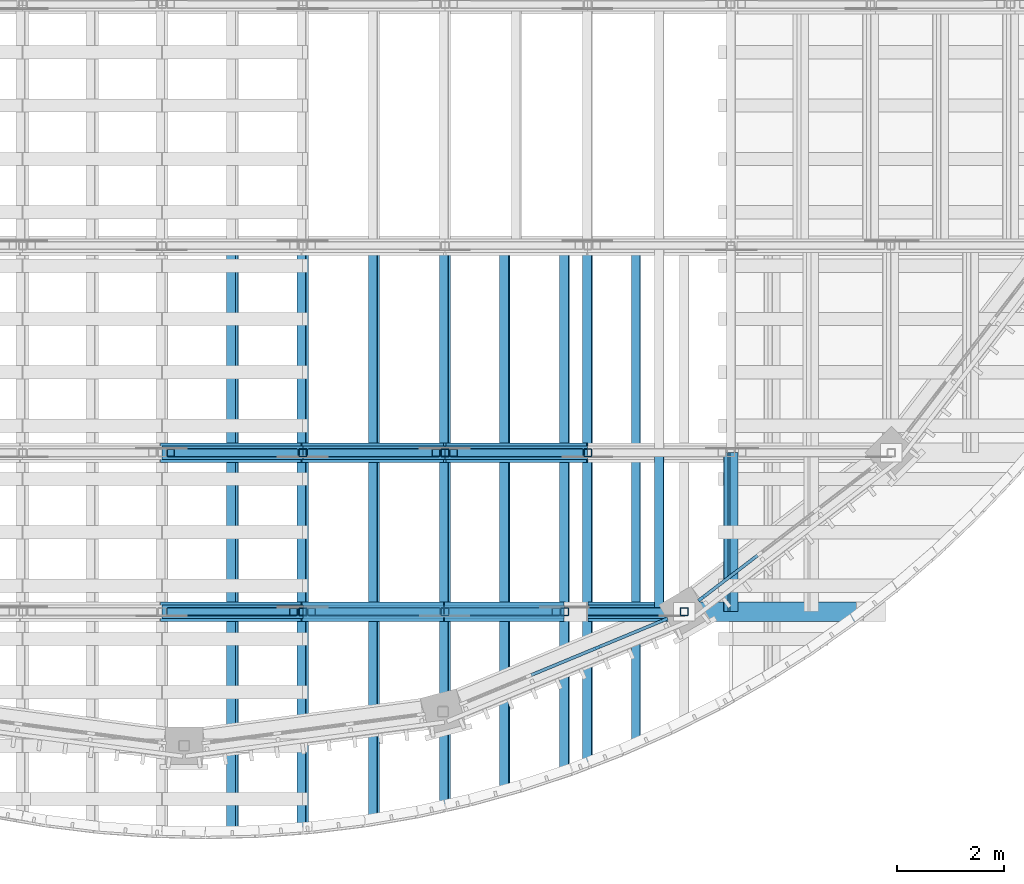
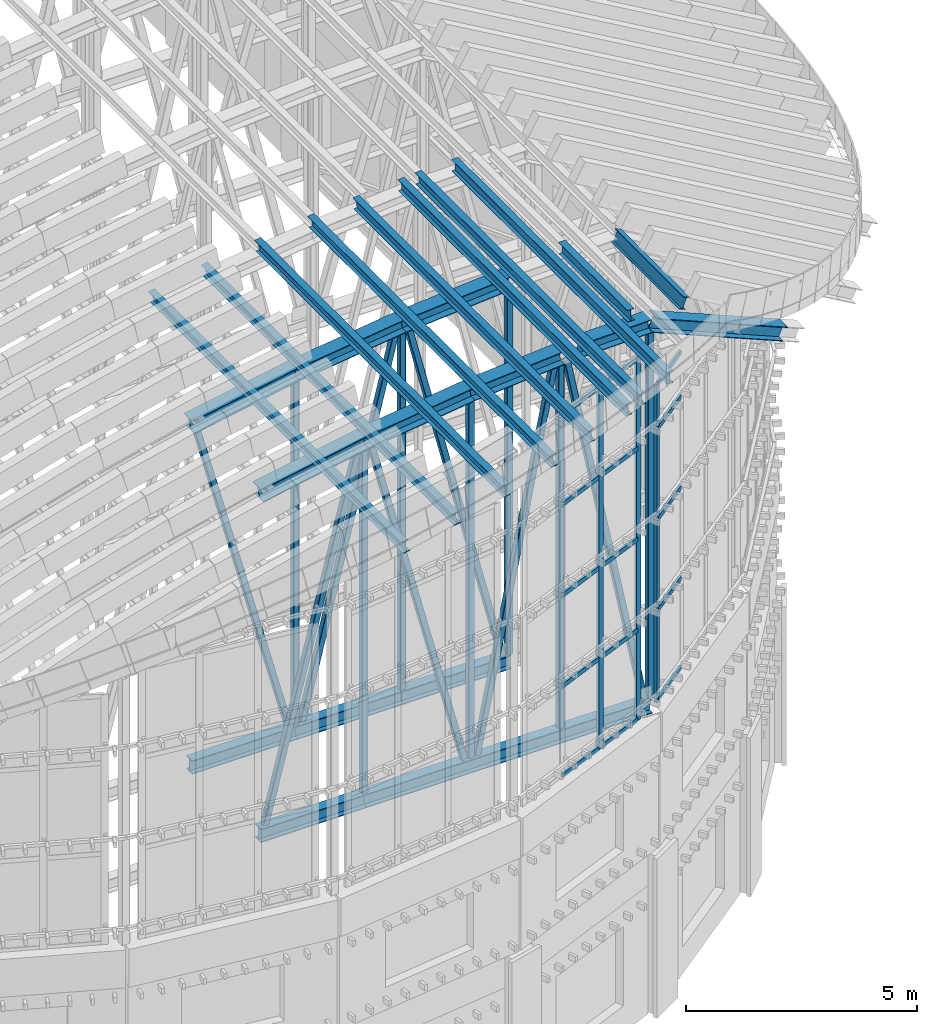
# One storey, part 10 of 105: 56 members, 2 elements without a shape of their own.
"""IFC4 building model written with IfcOpenShell, lengths in metres."""

from ifc_helpers import new_model, si_unit, direction, frame, origin, origin_2d, place, context, subcontext, project, spatial, rectangle, hollow_rectangle, i_section, extrude, material, layer, layer_set, material_profile, profile_set, type_object, element, aggregate, save


model = new_model("IFC4")

# Units and contexts
model_context = context("Model", 3, precision=1e-05, world=origin(), true_north=direction((0.0, 1.0)))
body_context = subcontext(model_context, "Body", "Model", "MODEL_VIEW")
ifc_project = project(units=[si_unit("LENGTHUNIT", "METRE"), si_unit("AREAUNIT", "SQUARE_METRE"), si_unit("VOLUMEUNIT", "CUBIC_METRE"), si_unit("PLANEANGLEUNIT", "RADIAN"), si_unit("MASSUNIT", "GRAM", prefix="KILO")], contexts=[model_context])

# Site, building, storey
site_placement = place(None, origin())
site = spatial("IfcSite", under=ifc_project, at=site_placement, CompositionType="ELEMENT")
building_placement = place(site_placement, origin())
building = spatial("IfcBuilding", under=site, at=building_placement, Name="Wasatch Bagh Community Centre", CompositionType="ELEMENT")
storey_placement = place(building_placement, frame((0.0, 0.0, 16.800048828125)))
storey = spatial("IfcBuildingStorey", under=building, at=storey_placement, Name="L04", CompositionType="ELEMENT", Elevation=16.800048828125)

# Members
ifc_material_1 = material(Name="ASTM A500 Grade C steel", Category="steel")
ifc_material_profile_1 = material_profile(ifc_material_1, hollow_rectangle(XDim=0.15234375, YDim=0.15234375, WallThickness=0.0087890625, InnerFilletRadius=0.0087890625, OuterFilletRadius=0.017822265625, at=origin_2d()), Name="HSS6x6x3/8")
ifc_profile_set_1 = profile_set([ifc_material_profile_1], Name="ASTM A500 Grade C steel")
member_type_1 = type_object("IfcMemberType", Name="HSS6x6x3/8 brace", PredefinedType="BRACE", material=ifc_profile_set_1)
member_1_placement = place(storey_placement, frame((38.057373046875, 21.74169921875, 8.090576171875), z_axis=(-0.257394899199, 0.0, 0.966306300231), x_axis=(0.0, -1.0, 0.0)))
element("IfcMember", 1, at=member_1_placement, inside=storey, type_object=member_type_1, Name="MH.TS3.WB06", PredefinedType="BRACE", context=body_context, shape_type="SweptSolid", body=[
    extrude(hollow_rectangle(XDim=0.15234375, YDim=0.15234375, WallThickness=0.0087890625, InnerFilletRadius=0.0087890625, OuterFilletRadius=0.017822265625, at=origin_2d()), origin(), (0.0, 0.0, 1.0), 8.96728515625),
])
member_2_placement = place(storey_placement, frame((38.39111328125, 21.74169921875, 8.08935546875), z_axis=(0.239854300231, 0.0, 0.970808897086), x_axis=(0.0, 1.0, 0.0)))
element("IfcMember", 2, at=member_2_placement, inside=storey, type_object=member_type_1, Name="MH.TS3.WB07", PredefinedType="BRACE", context=body_context, shape_type="SweptSolid", body=[
    extrude(hollow_rectangle(XDim=0.15234375, YDim=0.15234375, WallThickness=0.0087890625, InnerFilletRadius=0.0087890625, OuterFilletRadius=0.017822265625, at=origin_2d()), origin(), (0.0, 0.0, 1.0), 9.70849609375),
])
member_3_placement = place(storey_placement, frame((43.401123046875, 21.74169921875, 8.08935546875), z_axis=(-0.240640528946, 0.0, 0.970614308481), x_axis=(0.0, -1.0, 0.0)))
element("IfcMember", 3, at=member_3_placement, inside=storey, type_object=member_type_1, Name="MH.TS3.WB08", PredefinedType="BRACE", context=body_context, shape_type="SweptSolid", body=[
    extrude(hollow_rectangle(XDim=0.15234375, YDim=0.15234375, WallThickness=0.0087890625, InnerFilletRadius=0.0087890625, OuterFilletRadius=0.017822265625, at=origin_2d()), origin(), (0.0, 0.0, 1.0), 9.762939453125),
])
member_4_placement = place(storey_placement, frame((35.75146484375, 18.761962890625, 8.08984375), z_axis=(0.246183437519, 0.0, 0.969223253483), x_axis=(0.0, 1.0, 0.0)))
element("IfcMember", 4, at=member_4_placement, inside=storey, type_object=member_type_1, Name="MH.TS4.WB05", PredefinedType="BRACE", context=body_context, shape_type="SweptSolid", body=[
    extrude(hollow_rectangle(XDim=0.15234375, YDim=0.15234375, WallThickness=0.0087890625, InnerFilletRadius=0.0087890625, OuterFilletRadius=0.017822265625, at=origin_2d()), origin(), (0.0, 0.0, 1.0), 9.349853515625),
])
member_5_placement = place(storey_placement, frame((40.722412109375, 18.761962890625, 8.08984375), z_axis=(-0.247331546252, 0.0, 0.968930908904), x_axis=(0.0, -1.0, 0.0)))
element("IfcMember", 5, at=member_5_placement, inside=storey, type_object=member_type_1, Name="MH.TS4.WB06", PredefinedType="BRACE", context=body_context, shape_type="SweptSolid", body=[
    extrude(hollow_rectangle(XDim=0.15234375, YDim=0.15234375, WallThickness=0.0087890625, InnerFilletRadius=0.0087890625, OuterFilletRadius=0.017822265625, at=origin_2d()), origin(), (0.0, 0.0, 1.0), 9.4326171875),
])
member_6_placement = place(storey_placement, frame((41.043701171875, 18.761962890625, 8.0859375), z_axis=(0.196872033008, 0.0, 0.980429193068), x_axis=(0.0, 1.0, 0.0)))
element("IfcMember", 6, at=member_6_placement, inside=storey, type_object=member_type_1, Name="MH.TS4.WB07", PredefinedType="BRACE", context=body_context, shape_type="SweptSolid", body=[
    extrude(hollow_rectangle(XDim=0.15234375, YDim=0.15234375, WallThickness=0.0087890625, InnerFilletRadius=0.0087890625, OuterFilletRadius=0.017822265625, at=origin_2d()), origin(), (0.0, 0.0, 1.0), 9.81298828125),
])
member_7_placement = place(storey_placement, frame((45.220458984375, 18.761962890625, 8.0859375), z_axis=(-0.196530864384, 0.0, 0.980497638622), x_axis=(0.0, -1.0, 0.0)))
element("IfcMember", 7, at=member_7_placement, inside=storey, type_object=member_type_1, Name="MH.TS4.WB08", PredefinedType="BRACE", context=body_context, shape_type="SweptSolid", body=[
    extrude(hollow_rectangle(XDim=0.15234375, YDim=0.15234375, WallThickness=0.0087890625, InnerFilletRadius=0.0087890625, OuterFilletRadius=0.017822265625, at=origin_2d()), origin(), (0.0, 0.0, 1.0), 9.8486328125),
])
ifc_material_profile_2 = material_profile(ifc_material_1, hollow_rectangle(XDim=0.15234375, YDim=0.15234375, WallThickness=0.0087890625, InnerFilletRadius=0.0087890625, OuterFilletRadius=0.017822265625, at=origin_2d()), Name="HSS6x6x3/8")
ifc_profile_set_2 = profile_set([ifc_material_profile_2], Name="ASTM A500 Grade C steel")
member_type_2 = type_object("IfcMemberType", Name="HSS6x6x3/8 post", PredefinedType="POST", material=ifc_profile_set_2)
member_8_placement = place(storey_placement, frame((38.226318359375, 21.74169921875, 8.070556640625), z_axis=(0.0, 0.0, 1.0), x_axis=(1.0, 0.0, 0.0)))
element("IfcMember", 8, at=member_8_placement, inside=storey, type_object=member_type_2, Name="MH.TS3.PS07", PredefinedType="POST", context=body_context, shape_type="SweptSolid", body=[
    extrude(hollow_rectangle(XDim=0.15234375, YDim=0.15234375, WallThickness=0.0087890625, InnerFilletRadius=0.0087890625, OuterFilletRadius=0.017822265625, at=origin_2d()), origin(), (0.0, 0.0, 1.0), 9.13134765625),
])
member_9_placement = place(storey_placement, frame((40.88916015625, 21.74169921875, 8.070556640625), z_axis=(0.0, 0.0, 1.0), x_axis=(1.0, 0.0, 0.0)))
element("IfcMember", 9, at=member_9_placement, inside=storey, type_object=member_type_2, Name="MH.TS3.PS08", PredefinedType="POST", context=body_context, shape_type="SweptSolid", body=[
    extrude(hollow_rectangle(XDim=0.15234375, YDim=0.15234375, WallThickness=0.0087890625, InnerFilletRadius=0.0087890625, OuterFilletRadius=0.017822265625, at=origin_2d()), origin(), (0.0, 0.0, 1.0), 9.48388671875),
])
member_10_placement = place(storey_placement, frame((43.56591796875, 21.74169921875, 8.070556640625), z_axis=(0.0, 0.0, 1.0), x_axis=(1.0, 0.0, 0.0)))
element("IfcMember", 10, at=member_10_placement, inside=storey, type_object=member_type_2, Name="MH.TS3.PS09", PredefinedType="POST", context=body_context, shape_type="SweptSolid", body=[
    extrude(hollow_rectangle(XDim=0.15234375, YDim=0.15234375, WallThickness=0.0087890625, InnerFilletRadius=0.0087890625, OuterFilletRadius=0.017822265625, at=origin_2d()), origin(), (0.0, 0.0, 1.0), 9.697265625),
])
member_11_placement = place(storey_placement, frame((38.226318359375, 18.761962890625, 8.070556640625), z_axis=(0.0, 0.0, 1.0), x_axis=(1.0, 0.0, 0.0)))
element("IfcMember", 11, at=member_11_placement, inside=storey, type_object=member_type_2, Name="MH.TS4.PS06", PredefinedType="POST", context=body_context, shape_type="SweptSolid", body=[
    extrude(hollow_rectangle(XDim=0.15234375, YDim=0.15234375, WallThickness=0.0087890625, InnerFilletRadius=0.0087890625, OuterFilletRadius=0.017822265625, at=origin_2d()), origin(), (0.0, 0.0, 1.0), 9.13134765625),
])
member_12_placement = place(storey_placement, frame((40.88916015625, 18.761962890625, 8.070556640625), z_axis=(0.0, 0.0, 1.0), x_axis=(1.0, 0.0, 0.0)))
element("IfcMember", 12, at=member_12_placement, inside=storey, type_object=member_type_2, Name="MH.TS4.PS07", PredefinedType="POST", context=body_context, shape_type="SweptSolid", body=[
    extrude(hollow_rectangle(XDim=0.15234375, YDim=0.15234375, WallThickness=0.0087890625, InnerFilletRadius=0.0087890625, OuterFilletRadius=0.017822265625, at=origin_2d()), origin(), (0.0, 0.0, 1.0), 9.48388671875),
])
member_13_placement = place(storey_placement, frame((43.132080078125, 18.761962890625, 8.070556640625), z_axis=(0.0, 0.0, 1.0), x_axis=(1.0, 0.0, 0.0)))
element("IfcMember", 13, at=member_13_placement, inside=storey, type_object=member_type_2, Name="MH.TS4.PS08", PredefinedType="POST", context=body_context, shape_type="SweptSolid", body=[
    extrude(hollow_rectangle(XDim=0.15234375, YDim=0.15234375, WallThickness=0.0087890625, InnerFilletRadius=0.0087890625, OuterFilletRadius=0.017822265625, at=origin_2d()), origin(), (0.0, 0.0, 1.0), 9.663330078125),
])
member_14_placement = place(storey_placement, frame((45.375, 18.761962890625, 8.070556640625), z_axis=(0.0, 0.0, 1.0), x_axis=(1.0, 0.0, 0.0)))
element("IfcMember", 14, at=member_14_placement, inside=storey, type_object=member_type_2, Name="MH.TS4.PS09", PredefinedType="POST", context=body_context, shape_type="SweptSolid", body=[
    extrude(hollow_rectangle(XDim=0.15234375, YDim=0.15234375, WallThickness=0.0087890625, InnerFilletRadius=0.0087890625, OuterFilletRadius=0.017822265625, at=origin_2d()), origin(), (0.0, 0.0, 1.0), 9.700439453125),
])

# Curtain wall, members
ifc_material_2 = material(Name="Aluminium curtain wall frame with low-iron glass", Category="aluminium")
ifc_layer_1 = layer(ifc_material_2, 0.10009765625)
ifc_layer_set_1 = layer_set([ifc_layer_1], Name="Aluminium curtain wall frame with low-iron glass")
curtain_wall_type_1 = type_object("IfcCurtainWallType", Name="MH end screen curtain wall 8", PredefinedType="NOTDEFINED", material=ifc_layer_set_1)
curtain_wall_1_placement = place(storey_placement, origin())
curtain_wall_1 = element("IfcCurtainWall", 15, at=curtain_wall_1_placement, inside=storey, type_object=curtain_wall_type_1, Name="End screen 8", PredefinedType="NOTDEFINED")
ifc_material_3 = material(Name="Aluminium extrusion", Category="aluminium")
ifc_material_profile_3 = material_profile(ifc_material_3, rectangle(XDim=0.06005859375, YDim=0.159912109375, at=origin_2d()), Name="AL 60x160")
ifc_profile_set_3 = profile_set([ifc_material_profile_3], Name="Aluminium extrusion")
member_type_3 = type_object("IfcMemberType", Name="MH end screen mullion 60x160", PredefinedType="MULLION", material=ifc_profile_set_3)
member_15_placement = place(storey_placement, frame((43.74853515625, 18.08837890625, 7.699951171875), z_axis=(0.0, 0.0, 1.0), x_axis=(-0.382683432188, 0.923879532585, 0.0)))
member_15 = element("IfcMember", 16, at=member_15_placement, type_object=member_type_3, Name="MH-CW8 mullion 3", PredefinedType="MULLION", context=body_context, shape_type="SweptSolid", body=[
    extrude(rectangle(XDim=0.06005859375, YDim=0.159912109375, at=origin_2d()), origin(), (0.0, 0.0, 1.0), 9.60009765625),
])
member_16_placement = place(storey_placement, frame((44.990234375, 18.602783203125, 7.699951171875), z_axis=(0.0, 0.0, 1.0), x_axis=(-0.382683432188, 0.923879532585, 0.0)))
member_16 = element("IfcMember", 17, at=member_16_placement, type_object=member_type_3, Name="MH-CW8 mullion 4", PredefinedType="MULLION", context=body_context, shape_type="SweptSolid", body=[
    extrude(rectangle(XDim=0.06005859375, YDim=0.159912109375, at=origin_2d()), origin(), (0.0, 0.0, 1.0), 9.60009765625),
])

# Curtain wall, member
ifc_layer_2 = layer(ifc_material_2, 0.10009765625)
ifc_layer_set_2 = layer_set([ifc_layer_2], Name="Aluminium curtain wall frame with low-iron glass")
curtain_wall_type_2 = type_object("IfcCurtainWallType", Name="MH end screen curtain wall 7", PredefinedType="NOTDEFINED", material=ifc_layer_set_2)
curtain_wall_2_placement = place(storey_placement, origin())
curtain_wall_2 = element("IfcCurtainWall", 18, at=curtain_wall_2_placement, inside=storey, type_object=curtain_wall_type_2, Name="End screen 9", PredefinedType="NOTDEFINED")
member_17_placement = place(storey_placement, frame((45.705322265625, 19.015625, 7.699951171875), z_axis=(0.0, 0.0, 1.0), x_axis=(-0.608761429036, 0.79335334027, 0.0)))
member_17 = element("IfcMember", 19, at=member_17_placement, type_object=member_type_3, Name="MH-CW7 mullion 1", PredefinedType="MULLION", context=body_context, shape_type="SweptSolid", body=[
    extrude(rectangle(XDim=0.06005859375, YDim=0.159912109375, at=origin_2d()), origin(), (0.0, 0.0, 1.0), 8.39990234375),
])

# Member
ifc_material_profile_4 = material_profile(ifc_material_3, rectangle(XDim=0.06005859375, YDim=0.1201171875, at=origin_2d()), Name="AL 60x120")
ifc_profile_set_4 = profile_set([ifc_material_profile_4], Name="Aluminium extrusion")
member_type_4 = type_object("IfcMemberType", Name="MH end screen transom 60x120", PredefinedType="USERDEFINED", material=ifc_profile_set_4)
member_18_placement = place(storey_placement, frame((42.507080078125, 17.573974609375, 7.72998046875), z_axis=(0.923844700065, 0.382767514508, 0.0), x_axis=(-0.382767514508, 0.923844700065, 0.0)))
member_18 = element("IfcMember", 20, at=member_18_placement, type_object=member_type_4, Name="MH-CW8 transom 2.1", ObjectType="TRANSOM", PredefinedType="USERDEFINED", context=body_context, shape_type="SweptSolid", body=[
    extrude(rectangle(XDim=0.06005859375, YDim=0.1201171875, at=origin_2d()), origin(), (0.0, 0.0, 1.0), 1.31396484375),
])

member_19_placement = place(storey_placement, frame((42.507080078125, 17.573974609375, 10.099853515625), z_axis=(0.923844700065, 0.382767514508, 0.0), x_axis=(-0.382767514508, 0.923844700065, 0.0)))
member_19 = element("IfcMember", 21, at=member_19_placement, type_object=member_type_4, Name="MH-CW8 transom 2.2", ObjectType="TRANSOM", PredefinedType="USERDEFINED", context=body_context, shape_type="SweptSolid", body=[
    extrude(rectangle(XDim=0.06005859375, YDim=0.1201171875, at=origin_2d()), origin(), (0.0, 0.0, 1.0), 1.31396484375),
])

member_20_placement = place(storey_placement, frame((42.507080078125, 17.573974609375, 12.5), z_axis=(0.923844700065, 0.382767514508, 0.0), x_axis=(-0.382767514508, 0.923844700065, 0.0)))
member_20 = element("IfcMember", 22, at=member_20_placement, type_object=member_type_4, Name="MH-CW8 transom 2.3", ObjectType="TRANSOM", PredefinedType="USERDEFINED", context=body_context, shape_type="SweptSolid", body=[
    extrude(rectangle(XDim=0.06005859375, YDim=0.1201171875, at=origin_2d()), origin(), (0.0, 0.0, 1.0), 1.31396484375),
])

member_21_placement = place(storey_placement, frame((42.507080078125, 17.573974609375, 14.89990234375), z_axis=(0.923844700065, 0.382767514508, 0.0), x_axis=(-0.382767514508, 0.923844700065, 0.0)))
member_21 = element("IfcMember", 23, at=member_21_placement, type_object=member_type_4, Name="MH-CW8 transom 2.4", ObjectType="TRANSOM", PredefinedType="USERDEFINED", context=body_context, shape_type="SweptSolid", body=[
    extrude(rectangle(XDim=0.06005859375, YDim=0.1201171875, at=origin_2d()), origin(), (0.0, 0.0, 1.0), 1.31396484375),
])

member_22_placement = place(storey_placement, frame((42.507080078125, 17.573974609375, 17.27001953125), z_axis=(0.923844700065, 0.382767514508, 0.0), x_axis=(-0.382767514508, 0.923844700065, 0.0)))
member_22 = element("IfcMember", 24, at=member_22_placement, type_object=member_type_4, Name="MH-CW8 transom 2.5", ObjectType="TRANSOM", PredefinedType="USERDEFINED", context=body_context, shape_type="SweptSolid", body=[
    extrude(rectangle(XDim=0.06005859375, YDim=0.1201171875, at=origin_2d()), origin(), (0.0, 0.0, 1.0), 1.31396484375),
])

member_23_placement = place(storey_placement, frame((43.7763671875, 18.099853515625, 7.72998046875), z_axis=(0.923924144834, 0.382575710929, 0.0), x_axis=(-0.382575710929, 0.923924144834, 0.0)))
member_23 = element("IfcMember", 25, at=member_23_placement, type_object=member_type_4, Name="MH-CW8 transom 3.1", ObjectType="TRANSOM", PredefinedType="USERDEFINED", context=body_context, shape_type="SweptSolid", body=[
    extrude(rectangle(XDim=0.06005859375, YDim=0.1201171875, at=origin_2d()), origin(), (0.0, 0.0, 1.0), 1.283935546875),
])

member_24_placement = place(storey_placement, frame((43.7763671875, 18.099853515625, 10.099853515625), z_axis=(0.923924144834, 0.382575710929, 0.0), x_axis=(-0.382575710929, 0.923924144834, 0.0)))
member_24 = element("IfcMember", 26, at=member_24_placement, type_object=member_type_4, Name="MH-CW8 transom 3.2", ObjectType="TRANSOM", PredefinedType="USERDEFINED", context=body_context, shape_type="SweptSolid", body=[
    extrude(rectangle(XDim=0.06005859375, YDim=0.1201171875, at=origin_2d()), origin(), (0.0, 0.0, 1.0), 1.283935546875),
])

member_25_placement = place(storey_placement, frame((43.7763671875, 18.099853515625, 12.5), z_axis=(0.923924144834, 0.382575710929, 0.0), x_axis=(-0.382575710929, 0.923924144834, 0.0)))
member_25 = element("IfcMember", 27, at=member_25_placement, type_object=member_type_4, Name="MH-CW8 transom 3.3", ObjectType="TRANSOM", PredefinedType="USERDEFINED", context=body_context, shape_type="SweptSolid", body=[
    extrude(rectangle(XDim=0.06005859375, YDim=0.1201171875, at=origin_2d()), origin(), (0.0, 0.0, 1.0), 1.283935546875),
])

member_26_placement = place(storey_placement, frame((43.7763671875, 18.099853515625, 14.89990234375), z_axis=(0.923924144834, 0.382575710929, 0.0), x_axis=(-0.382575710929, 0.923924144834, 0.0)))
member_26 = element("IfcMember", 28, at=member_26_placement, type_object=member_type_4, Name="MH-CW8 transom 3.4", ObjectType="TRANSOM", PredefinedType="USERDEFINED", context=body_context, shape_type="SweptSolid", body=[
    extrude(rectangle(XDim=0.06005859375, YDim=0.1201171875, at=origin_2d()), origin(), (0.0, 0.0, 1.0), 1.283935546875),
])

member_27_placement = place(storey_placement, frame((43.7763671875, 18.099853515625, 17.27001953125), z_axis=(0.923924144834, 0.382575710929, 0.0), x_axis=(-0.382575710929, 0.923924144834, 0.0)))
member_27 = element("IfcMember", 29, at=member_27_placement, type_object=member_type_4, Name="MH-CW8 transom 3.5", ObjectType="TRANSOM", PredefinedType="USERDEFINED", context=body_context, shape_type="SweptSolid", body=[
    extrude(rectangle(XDim=0.06005859375, YDim=0.1201171875, at=origin_2d()), origin(), (0.0, 0.0, 1.0), 1.283935546875),
])

aggregate(curtain_wall_1, [member_15, member_16, member_18, member_19, member_20, member_21, member_22, member_23, member_24, member_25, member_26, member_27])

member_28_placement = place(storey_placement, frame((45.729248046875, 19.03369140625, 7.72998046875), z_axis=(0.793287968186, 0.608846614125, 0.0), x_axis=(-0.608846614125, 0.793287968186, 0.0)))
member_28 = element("IfcMember", 30, at=member_28_placement, type_object=member_type_4, Name="MH-CW7 transom 1.1", ObjectType="TRANSOM", PredefinedType="USERDEFINED", context=body_context, shape_type="SweptSolid", body=[
    extrude(rectangle(XDim=0.06005859375, YDim=0.1201171875, at=origin_2d()), origin(), (0.0, 0.0, 1.0), 1.283935546875),
])

member_29_placement = place(storey_placement, frame((45.729248046875, 19.03369140625, 10.099853515625), z_axis=(0.793287968186, 0.608846614125, 0.0), x_axis=(-0.608846614125, 0.793287968186, 0.0)))
member_29 = element("IfcMember", 31, at=member_29_placement, type_object=member_type_4, Name="MH-CW7 transom 1.2", ObjectType="TRANSOM", PredefinedType="USERDEFINED", context=body_context, shape_type="SweptSolid", body=[
    extrude(rectangle(XDim=0.06005859375, YDim=0.1201171875, at=origin_2d()), origin(), (0.0, 0.0, 1.0), 1.283935546875),
])

member_30_placement = place(storey_placement, frame((45.729248046875, 19.03369140625, 12.5), z_axis=(0.793287968186, 0.608846614125, 0.0), x_axis=(-0.608846614125, 0.793287968186, 0.0)))
member_30 = element("IfcMember", 32, at=member_30_placement, type_object=member_type_4, Name="MH-CW7 transom 1.3", ObjectType="TRANSOM", PredefinedType="USERDEFINED", context=body_context, shape_type="SweptSolid", body=[
    extrude(rectangle(XDim=0.06005859375, YDim=0.1201171875, at=origin_2d()), origin(), (0.0, 0.0, 1.0), 1.283935546875),
])

member_31_placement = place(storey_placement, frame((45.729248046875, 19.03369140625, 14.89990234375), z_axis=(0.793287968186, 0.608846614125, 0.0), x_axis=(-0.608846614125, 0.793287968186, 0.0)))
member_31 = element("IfcMember", 33, at=member_31_placement, type_object=member_type_4, Name="MH-CW7 transom 1.4", ObjectType="TRANSOM", PredefinedType="USERDEFINED", context=body_context, shape_type="SweptSolid", body=[
    extrude(rectangle(XDim=0.06005859375, YDim=0.1201171875, at=origin_2d()), origin(), (0.0, 0.0, 1.0), 1.283935546875),
])

member_32_placement = place(storey_placement, frame((45.729248046875, 19.03369140625, 16.070068359375), z_axis=(0.793287968186, 0.608846614125, 0.0), x_axis=(-0.608846614125, 0.793287968186, 0.0)))
member_32 = element("IfcMember", 34, at=member_32_placement, type_object=member_type_4, Name="MH-CW7 transom 1.5", ObjectType="TRANSOM", PredefinedType="USERDEFINED", context=body_context, shape_type="SweptSolid", body=[
    extrude(rectangle(XDim=0.06005859375, YDim=0.1201171875, at=origin_2d()), origin(), (0.0, 0.0, 1.0), 1.283935546875),
])

aggregate(curtain_wall_2, [member_17, member_28, member_29, member_30, member_31, member_32])

# Members
ifc_material_4 = material(Name="ASTM A992 Grade 50 steel", Category="steel")
ifc_material_profile_5 = material_profile(ifc_material_4, i_section(OverallWidth=0.164794921875, OverallDepth=0.309814453125, WebThickness=0.005859375, FlangeThickness=0.009765625, at=origin_2d()), Name="W12x26")
ifc_profile_set_5 = profile_set([ifc_material_profile_5], Name="ASTM A992 Grade 50 steel")
member_type_5 = type_object("IfcMemberType", Name="W12x26 purlin", PredefinedType="PURLIN", material=ifc_profile_set_5)
for number, where, z_axis, x_axis, name in (
    (35, (44.907958984375, 18.761962890625, 18.3203125), (0.0, 1.0, 0.0), (-0.999666689289, 0.0, -0.025816861269), "MH.TS4-TS3.PU17"),
    (36, (46.25, 18.761962890625, 18.167724609375), (0.0, 1.0, 0.0), (-0.922976927194, 0.0, 0.384855286916), "MH.TS4-TS3.PU18"),
):
    element("IfcMember", number, at=place(storey_placement, frame(where, z_axis=z_axis, x_axis=x_axis)), inside=storey, type_object=member_type_5, Name=name, PredefinedType="PURLIN", context=body_context, shape_type="SweptSolid", body=[
        extrude(i_section(OverallWidth=0.164794921875, OverallDepth=0.309814453125, WebThickness=0.005859375, FlangeThickness=0.009765625, at=origin_2d()), origin(), (0.0, 0.0, 1.0), 2.979736328125),
    ])
ifc_material_profile_6 = material_profile(ifc_material_4, i_section(OverallWidth=0.164794921875, OverallDepth=0.309814453125, WebThickness=0.005859375, FlangeThickness=0.009765625, at=origin_2d()), Name="W12x26")
ifc_profile_set_6 = profile_set([ifc_material_profile_6], Name="ASTM A992 Grade 50 steel")
member_type_6 = type_object("IfcMemberType", Name="W12x26 rafter", PredefinedType="RAFTER", material=ifc_profile_set_6)
member_33_placement = place(storey_placement, frame((36.90576171875, 14.65625, 17.492919921875), z_axis=(0.0, 1.0, 0.0), x_axis=(-0.983711293114, 0.0, -0.179755644695)))
element("IfcMember", 37, at=member_33_placement, inside=storey, type_object=member_type_6, Name="MH.TS.RF11", PredefinedType="RAFTER", context=body_context, shape_type="SweptSolid", body=[
    extrude(i_section(OverallWidth=0.164794921875, OverallDepth=0.309814453125, WebThickness=0.005859375, FlangeThickness=0.009765625, at=origin_2d()), origin(), (0.0, 0.0, 1.0), 10.96875),
])
member_34_placement = place(storey_placement, frame((38.226318359375, 14.732177734375, 17.72900390625), z_axis=(0.0, 1.0, 0.0), x_axis=(-0.983711293114, 0.0, -0.179755644695)))
element("IfcMember", 38, at=member_34_placement, inside=storey, type_object=member_type_6, Name="MH.TS.RF12", PredefinedType="RAFTER", context=body_context, shape_type="SweptSolid", body=[
    extrude(i_section(OverallWidth=0.164794921875, OverallDepth=0.309814453125, WebThickness=0.005859375, FlangeThickness=0.009765625, at=origin_2d()), origin(), (0.0, 0.0, 1.0), 10.892822265625),
])
member_35_placement = place(storey_placement, frame((39.5576171875, 14.896484375, 17.906005859375), z_axis=(0.0, 1.0, 0.0), x_axis=(-0.9916783427, 0.0, -0.128740299126)))
element("IfcMember", 39, at=member_35_placement, inside=storey, type_object=member_type_6, Name="MH.TS.RF13", PredefinedType="RAFTER", context=body_context, shape_type="SweptSolid", body=[
    extrude(i_section(OverallWidth=0.164794921875, OverallDepth=0.309814453125, WebThickness=0.005859375, FlangeThickness=0.009765625, at=origin_2d()), origin(), (0.0, 0.0, 1.0), 10.728515625),
])
member_36_placement = place(storey_placement, frame((40.88916015625, 15.1513671875, 18.07373046875), z_axis=(0.0, 1.0, 0.0), x_axis=(-0.9916783427, 0.0, -0.128740299126)))
element("IfcMember", 40, at=member_36_placement, inside=storey, type_object=member_type_6, Name="MH.TS.RF14", PredefinedType="RAFTER", context=body_context, shape_type="SweptSolid", body=[
    extrude(i_section(OverallWidth=0.164794921875, OverallDepth=0.309814453125, WebThickness=0.005859375, FlangeThickness=0.009765625, at=origin_2d()), origin(), (0.0, 0.0, 1.0), 10.4736328125),
])
member_37_placement = place(storey_placement, frame((42.010498046875, 15.438720703125, 18.1650390625), z_axis=(0.0, 1.0, 0.0), x_axis=(-0.997001538789, 0.0, -0.077381726869)))
element("IfcMember", 41, at=member_37_placement, inside=storey, type_object=member_type_6, Name="MH.TS.RF15", PredefinedType="RAFTER", context=body_context, shape_type="SweptSolid", body=[
    extrude(i_section(OverallWidth=0.164794921875, OverallDepth=0.309814453125, WebThickness=0.005859375, FlangeThickness=0.009765625, at=origin_2d()), origin(), (0.0, 0.0, 1.0), 10.186279296875),
])
member_38_placement = place(storey_placement, frame((43.132080078125, 15.795654296875, 18.251953125), z_axis=(0.0, 1.0, 0.0), x_axis=(-0.997001538789, 0.0, -0.077381726869)))
element("IfcMember", 42, at=member_38_placement, inside=storey, type_object=member_type_6, Name="MH.TS.RF16", PredefinedType="RAFTER", context=body_context, shape_type="SweptSolid", body=[
    extrude(i_section(OverallWidth=0.164794921875, OverallDepth=0.309814453125, WebThickness=0.005859375, FlangeThickness=0.009765625, at=origin_2d()), origin(), (0.0, 0.0, 1.0), 9.829345703125),
])
member_39_placement = place(storey_placement, frame((43.56591796875, 15.953369140625, 18.28125), z_axis=(0.0, 1.0, 0.0), x_axis=(-0.997001538789, 0.0, -0.077381726869)))
element("IfcMember", 43, at=member_39_placement, inside=storey, type_object=member_type_6, Name="MH.TS.RF17", PredefinedType="RAFTER", context=body_context, shape_type="SweptSolid", body=[
    extrude(i_section(OverallWidth=0.164794921875, OverallDepth=0.309814453125, WebThickness=0.005859375, FlangeThickness=0.009765625, at=origin_2d()), origin(), (0.0, 0.0, 1.0), 9.671630859375),
])
member_40_placement = place(storey_placement, frame((44.470458984375, 16.31884765625, 18.30859375), z_axis=(0.0, 1.0, 0.0), x_axis=(-0.999666689532, 0.0, -0.025816851865)))
element("IfcMember", 44, at=member_40_placement, inside=storey, type_object=member_type_6, Name="MH.TS.RF18", PredefinedType="RAFTER", context=body_context, shape_type="SweptSolid", body=[
    extrude(i_section(OverallWidth=0.164794921875, OverallDepth=0.309814453125, WebThickness=0.005859375, FlangeThickness=0.009765625, at=origin_2d()), origin(), (0.0, 0.0, 1.0), 9.30615234375),
])
ifc_material_profile_7 = material_profile(ifc_material_4, i_section(OverallWidth=0.25390625, OverallDepth=0.355712890625, WebThickness=0.010498046875, FlangeThickness=0.018310546875, at=origin_2d()), Name="W14x68")
ifc_profile_set_7 = profile_set([ifc_material_profile_7], Name="ASTM A992 Grade 50 steel")
member_type_7 = type_object("IfcMemberType", Name="W14x68 chord", PredefinedType="CHORD", material=ifc_profile_set_7)
member_41_placement = place(storey_placement, frame((35.585205078125, 21.74169921875, 7.892822265625), z_axis=(1.0, 0.0, 0.0), x_axis=(0.0, 1.0, 0.0)))
element("IfcMember", 45, at=member_41_placement, inside=storey, type_object=member_type_7, Name="MH.TS3.BC06", PredefinedType="CHORD", context=body_context, shape_type="SweptSolid", body=[
    extrude(i_section(OverallWidth=0.25390625, OverallDepth=0.355712890625, WebThickness=0.010498046875, FlangeThickness=0.018310546875, at=origin_2d()), origin(), (0.0, 0.0, 1.0), 2.64111328125),
])
member_42_placement = place(storey_placement, frame((38.226318359375, 21.74169921875, 7.892822265625), z_axis=(1.0, 0.0, 0.0), x_axis=(0.0, 1.0, 0.0)))
element("IfcMember", 46, at=member_42_placement, inside=storey, type_object=member_type_7, Name="MH.TS3.BC07", PredefinedType="CHORD", context=body_context, shape_type="SweptSolid", body=[
    extrude(i_section(OverallWidth=0.25390625, OverallDepth=0.355712890625, WebThickness=0.010498046875, FlangeThickness=0.018310546875, at=origin_2d()), origin(), (0.0, 0.0, 1.0), 2.662841796875),
])
member_43_placement = place(storey_placement, frame((40.88916015625, 21.74169921875, 7.892822265625), z_axis=(1.0, 0.0, 0.0), x_axis=(0.0, 1.0, 0.0)))
element("IfcMember", 47, at=member_43_placement, inside=storey, type_object=member_type_7, Name="MH.TS3.BC08", PredefinedType="CHORD", context=body_context, shape_type="SweptSolid", body=[
    extrude(i_section(OverallWidth=0.25390625, OverallDepth=0.355712890625, WebThickness=0.010498046875, FlangeThickness=0.018310546875, at=origin_2d()), origin(), (0.0, 0.0, 1.0), 2.6767578125),
])
member_44_placement = place(storey_placement, frame((35.585205078125, 18.761962890625, 7.892822265625), z_axis=(1.0, 0.0, 0.0), x_axis=(0.0, 1.0, 0.0)))
element("IfcMember", 48, at=member_44_placement, inside=storey, type_object=member_type_7, Name="MH.TS4.BC05", PredefinedType="CHORD", context=body_context, shape_type="SweptSolid", body=[
    extrude(i_section(OverallWidth=0.25390625, OverallDepth=0.355712890625, WebThickness=0.010498046875, FlangeThickness=0.018310546875, at=origin_2d()), origin(), (0.0, 0.0, 1.0), 2.64111328125),
])
member_45_placement = place(storey_placement, frame((38.226318359375, 18.761962890625, 7.892822265625), z_axis=(1.0, 0.0, 0.0), x_axis=(0.0, 1.0, 0.0)))
element("IfcMember", 49, at=member_45_placement, inside=storey, type_object=member_type_7, Name="MH.TS4.BC06", PredefinedType="CHORD", context=body_context, shape_type="SweptSolid", body=[
    extrude(i_section(OverallWidth=0.25390625, OverallDepth=0.355712890625, WebThickness=0.010498046875, FlangeThickness=0.018310546875, at=origin_2d()), origin(), (0.0, 0.0, 1.0), 4.90576171875),
])
member_46_placement = place(storey_placement, frame((43.132080078125, 18.761962890625, 7.892822265625), z_axis=(1.0, 0.0, 0.0), x_axis=(0.0, 1.0, 0.0)))
element("IfcMember", 50, at=member_46_placement, inside=storey, type_object=member_type_7, Name="MH.TS4.BC08", PredefinedType="CHORD", context=body_context, shape_type="SweptSolid", body=[
    extrude(i_section(OverallWidth=0.25390625, OverallDepth=0.355712890625, WebThickness=0.010498046875, FlangeThickness=0.018310546875, at=origin_2d()), origin(), (0.0, 0.0, 1.0), 2.242919921875),
])
ifc_material_profile_8 = material_profile(ifc_material_4, i_section(OverallWidth=0.368408203125, OverallDepth=0.355712890625, WebThickness=0.01123046875, FlangeThickness=0.01806640625, at=origin_2d()), Name="W14x90")
ifc_profile_set_8 = profile_set([ifc_material_profile_8], Name="ASTM A992 Grade 50 steel")
member_type_8 = type_object("IfcMemberType", Name="W14x90 chord", PredefinedType="CHORD", material=ifc_profile_set_8)
for number, where, z_axis, x_axis, name in (
    (51, (35.59033203125, 21.74169921875, 16.913818359375), (0.983603049686, 0.0, 0.180347000666), (0.0, 1.0, 0.0), "MH.TS3.TC08"),
    (52, (38.2314453125, 21.74169921875, 17.39794921875), (0.991625838438, 0.0, 0.129144092167), (0.0, 1.0, 0.0), "MH.TS3.TC09"),
):
    element("IfcMember", number, at=place(storey_placement, frame(where, z_axis=z_axis, x_axis=x_axis)), inside=storey, type_object=member_type_8, Name=name, PredefinedType="CHORD", context=body_context, shape_type="SweptSolid", body=[
        extrude(i_section(OverallWidth=0.368408203125, OverallDepth=0.355712890625, WebThickness=0.01123046875, FlangeThickness=0.01806640625, at=origin_2d()), origin(), (0.0, 0.0, 1.0), 2.675048828125),
    ])
member_47_placement = place(storey_placement, frame((40.89404296875, 21.74169921875, 17.74462890625), z_axis=(0.99698535495, 0.0, 0.077589960786), x_axis=(0.0, 1.0, 0.0)))
element("IfcMember", 53, at=member_47_placement, inside=storey, type_object=member_type_8, Name="MH.TS3.TC10", PredefinedType="CHORD", context=body_context, shape_type="SweptSolid", body=[
    extrude(i_section(OverallWidth=0.368408203125, OverallDepth=0.355712890625, WebThickness=0.01123046875, FlangeThickness=0.01806640625, at=origin_2d()), origin(), (0.0, 0.0, 1.0), 2.674560546875),
])
for number, where, z_axis, x_axis, name in (
    (54, (35.59033203125, 18.761962890625, 16.913818359375), (0.983603049686, 0.0, 0.180347000666), (0.0, 1.0, 0.0), "MH.TS4.TC07"),
    (55, (38.2314453125, 18.761962890625, 17.39794921875), (0.991625838438, 0.0, 0.129144092167), (0.0, 1.0, 0.0), "MH.TS4.TC08"),
):
    element("IfcMember", number, at=place(storey_placement, frame(where, z_axis=z_axis, x_axis=x_axis)), inside=storey, type_object=member_type_8, Name=name, PredefinedType="CHORD", context=body_context, shape_type="SweptSolid", body=[
        extrude(i_section(OverallWidth=0.368408203125, OverallDepth=0.355712890625, WebThickness=0.01123046875, FlangeThickness=0.01806640625, at=origin_2d()), origin(), (0.0, 0.0, 1.0), 2.675048828125),
    ])
member_48_placement = place(storey_placement, frame((40.89404296875, 18.761962890625, 17.74462890625), z_axis=(0.996995967243, 0.0, 0.077453478306), x_axis=(0.0, 1.0, 0.0)))
element("IfcMember", 56, at=member_48_placement, inside=storey, type_object=member_type_8, Name="MH.TS4.TC09", PredefinedType="CHORD", context=body_context, shape_type="SweptSolid", body=[
    extrude(i_section(OverallWidth=0.368408203125, OverallDepth=0.355712890625, WebThickness=0.01123046875, FlangeThickness=0.01806640625, at=origin_2d()), origin(), (0.0, 0.0, 1.0), 2.244384765625),
])
member_49_placement = place(storey_placement, frame((43.5712890625, 18.761962890625, 17.95263671875), z_axis=(0.999703840423, 0.0, 0.024335805797), x_axis=(0.0, 1.0, 0.0)))
element("IfcMember", 57, at=member_49_placement, inside=storey, type_object=member_type_8, Name="MH.TS4.TC11", PredefinedType="CHORD", context=body_context, shape_type="SweptSolid", body=[
    extrude(i_section(OverallWidth=0.368408203125, OverallDepth=0.355712890625, WebThickness=0.01123046875, FlangeThickness=0.01806640625, at=origin_2d()), origin(), (0.0, 0.0, 1.0), 1.765625),
])
member_50_placement = place(storey_placement, frame((45.41064453125, 18.761962890625, 17.9814453125), z_axis=(0.921805770302, 0.0, -0.387652062858), x_axis=(0.0, 1.0, 0.0)))
element("IfcMember", 58, at=member_50_placement, inside=storey, type_object=member_type_8, Name="MH.TS4.TC12", PredefinedType="CHORD", context=body_context, shape_type="SweptSolid", body=[
    extrude(i_section(OverallWidth=0.368408203125, OverallDepth=0.355712890625, WebThickness=0.01123046875, FlangeThickness=0.01806640625, at=origin_2d()), origin(), (0.0, 0.0, 1.0), 3.53125),
])

save(model, "model.ifc")
